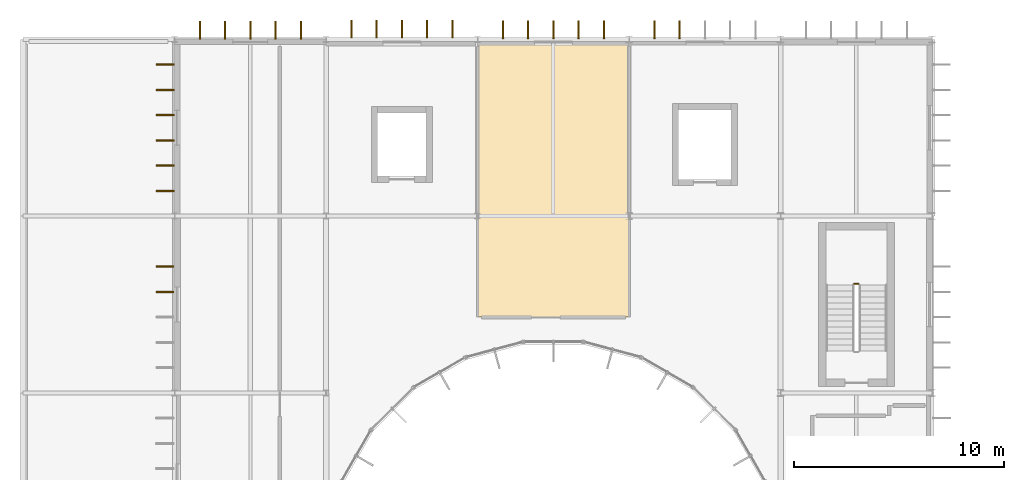
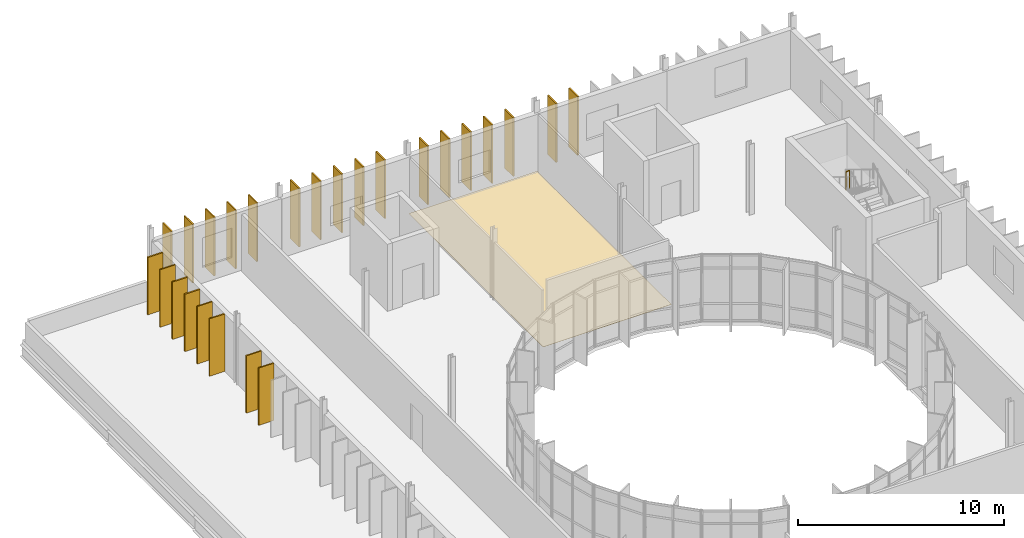
# One storey, part 50 of 52: 25 shading devices, 1 covering, 1 railing.
"""IFC4 building model written with IfcOpenShell, lengths in metres."""

from ifc_helpers import new_model, si_unit, direction, frame, origin, origin_2d, place, context, subcontext, project, spatial, polyline, rectangle, circle, outline, extrude, material, layer, layer_set, type_object, element, save


model = new_model("IFC4")

# Units and contexts
model_context = context("Model", 3, precision=1e-05, world=origin(), true_north=direction((0.0, 1.0)))
body_context = subcontext(model_context, "Body", "Model", "MODEL_VIEW")
ifc_project = project(units=[si_unit("LENGTHUNIT", "METRE"), si_unit("AREAUNIT", "SQUARE_METRE"), si_unit("VOLUMEUNIT", "CUBIC_METRE"), si_unit("PLANEANGLEUNIT", "RADIAN"), si_unit("MASSUNIT", "GRAM", prefix="KILO")], contexts=[model_context])

# Site, building, storey
site_placement = place(None, origin())
site = spatial("IfcSite", under=ifc_project, at=site_placement, CompositionType="ELEMENT")
building_placement = place(site_placement, origin())
building = spatial("IfcBuilding", under=site, at=building_placement, Name="Qelthora Terrace Specialist Clinic", CompositionType="ELEMENT")
storey_placement = place(building_placement, frame((0.0, 0.0, 17.39990234375)))
storey = spatial("IfcBuildingStorey", under=building, at=storey_placement, Name="L04", CompositionType="ELEMENT", Elevation=17.39990234375)

# Covering
ifc_material_1 = material(Name="Antimicrobial clinical linoleum flooring", Category="other")
ifc_layer = layer(ifc_material_1, 0.011962890625)
ifc_layer_set = layer_set([ifc_layer], Name="Antimicrobial clinical linoleum flooring")
covering_type = type_object("IfcCoveringType", Name="COV-FLR-LINO-12", PredefinedType="FLOORING", material=ifc_layer_set)
covering_placement = place(storey_placement, origin())
element("IfcCovering", 1, at=covering_placement, inside=storey, type_object=covering_type, Name="Pharmacy Biologics Cold-Chain Vault L04-53 resilient linoleum flooring", PredefinedType="FLOORING", context=body_context, shape_type="SweptSolid", body=[
    extrude(outline(polyline([(21.60009765625, 96.0), (21.60009765625, 109.050048828125), (28.800048828125, 109.050048828125), (28.800048828125, 96.0), (21.60009765625, 96.0)])), origin(), (0.0, 0.0, 1.0), 0.01220703125),
])

# Railing
ifc_material_2 = material(Name="Steel S355", Category="steel")
railing_type = type_object("IfcRailingType", Name="RAL-GD-1100-S355", PredefinedType="GUARDRAIL", material=ifc_material_2)
railing_placement = place(storey_placement, frame((39.699951171875, 97.5849609375, 2.10009765625)))
element("IfcRailing", 2, at=railing_placement, inside=storey, type_object=railing_type, Name="L04 ST-02 stair guard 2", PredefinedType="GUARDRAIL", context=body_context, shape_type="SweptSolid", body=[
    extrude(circle(Radius=0.02392578125, at=origin_2d()), frame((0.0, 0.0, 1.076171875), z_axis=(-1.0, 0.0, 0.0), x_axis=(0.0, -1.0, 0.0)), (0.0, 0.0, 1.0), 0.199951171875),
    extrude(circle(Radius=0.02099609375, at=origin_2d()), origin(), (0.0, 0.0, 1.0), 1.052001953125),
    extrude(circle(Radius=0.02099609375, at=origin_2d()), frame((-0.199951171875, 0.0, 0.0)), (0.0, 0.0, 1.0), 1.052001953125),
])

# Shading devices
ifc_material_3 = material(Name="Glulam timber GL28h", Category="wood")
shading_device_type = type_object("IfcShadingDeviceType", Name="SHD-FIN-850", PredefinedType="USERDEFINED", material=ifc_material_3)
for number, where, z_axis, x_axis, name in (
    (3, (6.7451171875, 97.199951171875, 0.000244140625), (0.0, 0.0, 1.0), (-1.0, 0.0, 0.0), "Exterior solar shading fin FIN-1942"),
    (4, (6.7451171875, 98.39990234375, 0.000244140625), (0.0, 0.0, 1.0), (-1.0, 0.0, 0.0), "Exterior solar shading fin FIN-1943"),
):
    element("IfcShadingDevice", number, at=place(storey_placement, frame(where, z_axis=z_axis, x_axis=x_axis)), inside=storey, type_object=shading_device_type, Name=name, ObjectType="FIN", PredefinedType="USERDEFINED", context=body_context, shape_type="SweptSolid", body=[
        extrude(rectangle(XDim=0.85009765625, YDim=0.080078125, at=origin_2d()), origin(), (0.0, 0.0, 1.0), 3.39794921875),
    ])
for number, where, z_axis, x_axis, name in (
    (5, (6.7548828125, 102.0, 0.0), (0.0, 0.0, 1.0), (-1.0, 0.0, 0.0), "Exterior solar shading fin FIN-1944"),
    (6, (6.7548828125, 103.199951171875, 0.0), (0.0, 0.0, 1.0), (-1.0, 0.0, 0.0), "Exterior solar shading fin FIN-1945"),
    (7, (6.7548828125, 104.39990234375, 0.0), (0.0, 0.0, 1.0), (-1.0, 0.0, 0.0), "Exterior solar shading fin FIN-1946"),
    (8, (6.7548828125, 105.60009765625, 0.0), (0.0, 0.0, 1.0), (-1.0, 0.0, 0.0), "Exterior solar shading fin FIN-1947"),
    (9, (6.7548828125, 106.800048828125, 0.0), (0.0, 0.0, 1.0), (-1.0, 0.0, 0.0), "Exterior solar shading fin FIN-1948"),
    (10, (6.7548828125, 108.0, 0.0), (0.0, 0.0, 1.0), (-1.0, 0.0, 0.0), "Exterior solar shading fin FIN-1949"),
):
    element("IfcShadingDevice", number, at=place(storey_placement, frame(where, z_axis=z_axis, x_axis=x_axis)), inside=storey, type_object=shading_device_type, Name=name, ObjectType="FIN", PredefinedType="USERDEFINED", context=body_context, shape_type="SweptSolid", body=[
        extrude(rectangle(XDim=0.85009765625, YDim=0.080078125, at=origin_2d()), origin(), (0.0, 0.0, 1.0), 3.405029296875),
    ])
for number, where, z_axis, x_axis, name in (
    (11, (8.39990234375, 109.635009765625, 0.000244140625), (0.0, 0.0, 1.0), (0.0, 1.0, 0.0), "Exterior solar shading fin FIN-1950"),
    (12, (9.60009765625, 109.635009765625, 0.000244140625), (0.0, 0.0, 1.0), (0.0, 1.0, 0.0), "Exterior solar shading fin FIN-1951"),
    (13, (10.800048828125, 109.635009765625, 0.000244140625), (0.0, 0.0, 1.0), (0.0, 1.0, 0.0), "Exterior solar shading fin FIN-1952"),
    (14, (12.0, 109.635009765625, 0.000244140625), (0.0, 0.0, 1.0), (0.0, 1.0, 0.0), "Exterior solar shading fin FIN-1953"),
    (15, (13.199951171875, 109.635009765625, 0.000244140625), (0.0, 0.0, 1.0), (0.0, 1.0, 0.0), "Exterior solar shading fin FIN-1954"),
    (16, (15.60009765625, 109.695068359375, 0.000244140625), (0.0, 0.0, 1.0), (0.0, 1.0, 0.0), "Exterior solar shading fin FIN-1955"),
    (17, (16.800048828125, 109.695068359375, 0.000244140625), (0.0, 0.0, 1.0), (0.0, 1.0, 0.0), "Exterior solar shading fin FIN-1956"),
    (18, (18.0, 109.695068359375, 0.000244140625), (0.0, 0.0, 1.0), (0.0, 1.0, 0.0), "Exterior solar shading fin FIN-1957"),
    (19, (19.199951171875, 109.695068359375, 0.000244140625), (0.0, 0.0, 1.0), (0.0, 1.0, 0.0), "Exterior solar shading fin FIN-1958"),
    (20, (20.39990234375, 109.695068359375, 0.000244140625), (0.0, 0.0, 1.0), (0.0, 1.0, 0.0), "Exterior solar shading fin FIN-1959"),
    (21, (22.800048828125, 109.6650390625, 0.000244140625), (0.0, 0.0, 1.0), (0.0, 1.0, 0.0), "Exterior solar shading fin FIN-1960"),
    (22, (24.0, 109.6650390625, 0.000244140625), (0.0, 0.0, 1.0), (0.0, 1.0, 0.0), "Exterior solar shading fin FIN-1961"),
    (23, (25.199951171875, 109.6650390625, 0.000244140625), (0.0, 0.0, 1.0), (0.0, 1.0, 0.0), "Exterior solar shading fin FIN-1962"),
    (24, (26.39990234375, 109.6650390625, 0.000244140625), (0.0, 0.0, 1.0), (0.0, 1.0, 0.0), "Exterior solar shading fin FIN-1963"),
    (25, (27.60009765625, 109.6650390625, 0.000244140625), (0.0, 0.0, 1.0), (0.0, 1.0, 0.0), "Exterior solar shading fin FIN-1964"),
    (26, (30.0, 109.655029296875, 0.000244140625), (0.0, 0.0, 1.0), (0.0, 1.0, 0.0), "Exterior solar shading fin FIN-1965"),
    (27, (31.199951171875, 109.655029296875, 0.000244140625), (0.0, 0.0, 1.0), (0.0, 1.0, 0.0), "Exterior solar shading fin FIN-1966"),
):
    element("IfcShadingDevice", number, at=place(storey_placement, frame(where, z_axis=z_axis, x_axis=x_axis)), inside=storey, type_object=shading_device_type, Name=name, ObjectType="FIN", PredefinedType="USERDEFINED", context=body_context, shape_type="SweptSolid", body=[
        extrude(rectangle(XDim=0.85009765625, YDim=0.080078125, at=origin_2d()), origin(), (0.0, 0.0, 1.0), 3.48193359375),
    ])

save(model, "model.ifc")
